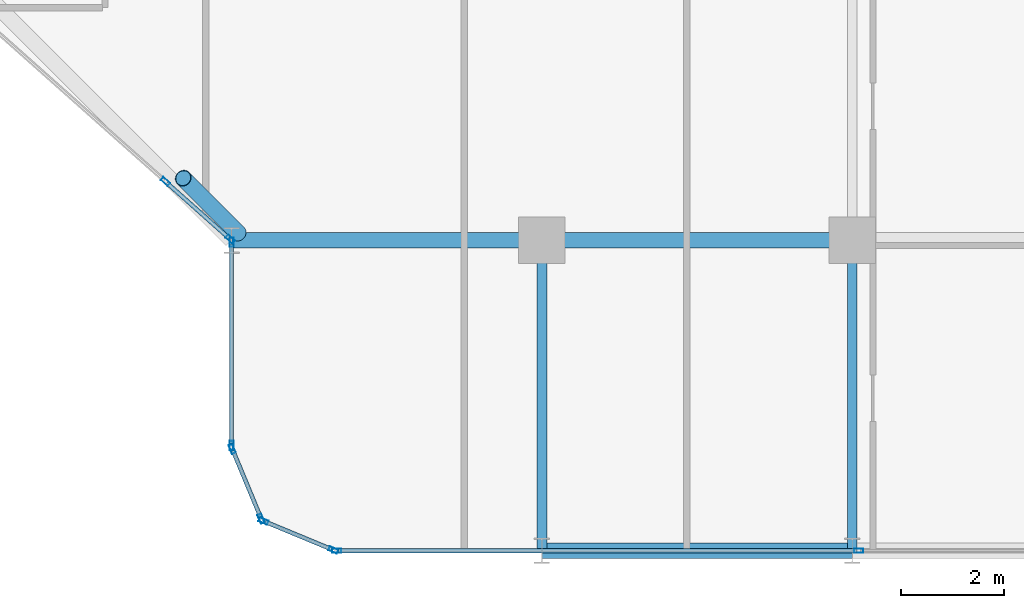
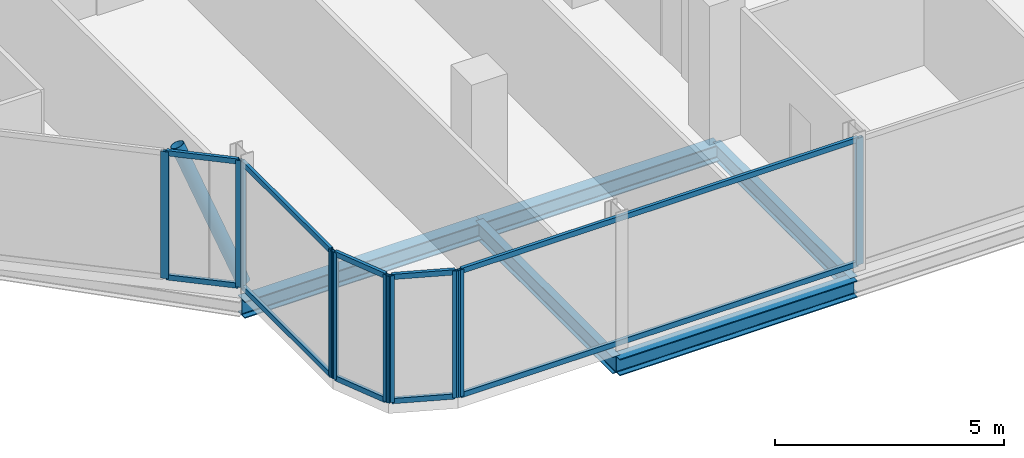
# One storey, part 5 of 31: 21 members, 5 beams, 5 elements without a shape of their own.
"""IFC4 building model written with IfcOpenShell, lengths in metres."""

from ifc_helpers import new_model, si_unit, direction, frame, origin, origin_2d, place, context, subcontext, project, spatial, hollow_rectangle, hollow_circle, i_section, extrude, material, layer, layer_set, material_profile, profile_set, type_object, element, aggregate, save


model = new_model("IFC4")

# Units and contexts
model_context = context("Model", 3, precision=1e-05, world=origin(), true_north=direction((0.0, 1.0)))
body_context = subcontext(model_context, "Body", "Model", "MODEL_VIEW")
ifc_project = project(units=[si_unit("LENGTHUNIT", "METRE"), si_unit("AREAUNIT", "SQUARE_METRE"), si_unit("VOLUMEUNIT", "CUBIC_METRE"), si_unit("PLANEANGLEUNIT", "RADIAN"), si_unit("MASSUNIT", "GRAM", prefix="KILO")], contexts=[model_context])

# Site, building, storey
site_placement = place(None, origin())
site = spatial("IfcSite", under=ifc_project, at=site_placement, CompositionType="ELEMENT")
building_placement = place(site_placement, origin())
building = spatial("IfcBuilding", under=site, at=building_placement, Name="Keshet Zoharim Tower", CompositionType="ELEMENT")
storey_placement = place(building_placement, frame((0.0, 0.0, 144.60009765625)))
storey = spatial("IfcBuildingStorey", under=building, at=storey_placement, Name="L35", CompositionType="ELEMENT", Elevation=144.60009765625)

# Beams
ifc_material_1 = material(Name="Steel S355", Category="steel")
ifc_material_profile_1 = material_profile(ifc_material_1, i_section(OverallWidth=0.18994140625, OverallDepth=0.449951171875, WebThickness=0.009521484375, FlangeThickness=0.0146484375, FilletRadius=0.02099609375, at=origin_2d()), Name="IPE450")
ifc_profile_set_1 = profile_set([ifc_material_profile_1], Name="Steel S355")
beam_type_1 = type_object("IfcBeamType", Name="BM-PRI-IP450", PredefinedType="BEAM", material=ifc_profile_set_1)
for number, where, z_axis, x_axis, name in (
    (1, (27.0, 0.699951171875, -0.5400390625), (0.0, 1.0, 0.0), (-1.0, 0.0, 0.0), "L35 Primary Girder Y-004"),
    (2, (33.0, 0.699951171875, -0.5400390625), (0.0, 1.0, 0.0), (-1.0, 0.0, 0.0), "L35 Primary Girder Y-005"),
):
    element("IfcBeam", number, at=place(storey_placement, frame(where, z_axis=z_axis, x_axis=x_axis)), inside=storey, type_object=beam_type_1, Name=name, PredefinedType="BEAM", context=body_context, shape_type="SweptSolid", body=[
        extrude(i_section(OverallWidth=0.18994140625, OverallDepth=0.449951171875, WebThickness=0.009521484375, FlangeThickness=0.0146484375, FilletRadius=0.02099609375, at=origin_2d()), origin(), (0.0, 0.0, 1.0), 6.0),
    ])
ifc_material_profile_2 = material_profile(ifc_material_1, i_section(OverallWidth=0.300048828125, OverallDepth=0.449951171875, WebThickness=0.013916015625, FlangeThickness=0.02587890625, FilletRadius=0.027099609375, at=origin_2d()), Name="HEB450")
ifc_profile_set_2 = profile_set([ifc_material_profile_2], Name="Steel S355")
beam_type_2 = type_object("IfcBeamType", Name="BM-WEB-HB450", PredefinedType="BEAM", material=ifc_profile_set_2)
for number, where, z_axis, x_axis, name in (
    (3, (27.0, 0.699951171875, -0.5400390625), (1.0, 0.0, 0.0), (0.0, 1.0, 0.0), "L35 Primary Girder X-001"),
    (4, (21.0, 6.699951171875, -0.5400390625), (1.0, 0.0, 0.0), (0.0, 1.0, 0.0), "L35 Primary Girder X-005"),
    (5, (27.0, 6.699951171875, -0.5400390625), (1.0, 0.0, 0.0), (0.0, 1.0, 0.0), "L35 Primary Girder X-006"),
):
    element("IfcBeam", number, at=place(storey_placement, frame(where, z_axis=z_axis, x_axis=x_axis)), inside=storey, type_object=beam_type_2, Name=name, PredefinedType="BEAM", context=body_context, shape_type="SweptSolid", body=[
        extrude(i_section(OverallWidth=0.300048828125, OverallDepth=0.449951171875, WebThickness=0.013916015625, FlangeThickness=0.02587890625, FilletRadius=0.027099609375, at=origin_2d()), origin(), (0.0, 0.0, 1.0), 6.0),
    ])

# Curtain wall, members
ifc_material_2 = material(Name="Aluminium 6063-T6", Category="aluminium")
ifc_layer = layer(ifc_material_2, 0.159912109375)
ifc_layer_set = layer_set([ifc_layer], Name="Aluminium 6063-T6")
curtain_wall_type = type_object("IfcCurtainWallType", Name="CW-SYS-03", PredefinedType="NOTDEFINED", material=ifc_layer_set)
curtain_wall_1_placement = place(storey_placement, origin())
curtain_wall_1 = element("IfcCurtainWall", 6, at=curtain_wall_1_placement, inside=storey, type_object=curtain_wall_type, Name="L35 Unitised Curtain Wall 03 Part 3", PredefinedType="NOTDEFINED")
ifc_material_profile_3 = material_profile(ifc_material_2, hollow_rectangle(XDim=0.080078125, YDim=0.179931640625, WallThickness=0.00439453125, at=origin_2d()), Name="MUL-80x180")
ifc_profile_set_3 = profile_set([ifc_material_profile_3], Name="Aluminium 6063-T6")
member_type_1 = type_object("IfcMemberType", Name="CWM-M18", PredefinedType="MULLION", material=ifc_profile_set_3)
member_1_placement = place(storey_placement, frame((33.1259765625, 0.699951171875, 0.0), z_axis=(0.0, 0.0, 1.0), x_axis=(0.0, -1.0, 0.0)))
member_1 = element("IfcMember", 7, at=member_1_placement, type_object=member_type_1, Name="CW-03 mullion 2", PredefinedType="MULLION", context=body_context, shape_type="SweptSolid", body=[
    extrude(hollow_rectangle(XDim=0.080078125, YDim=0.179931640625, WallThickness=0.00439453125, at=origin_2d()), origin(), (0.0, 0.0, 1.0), 3.385009765625),
])
member_2_placement = place(storey_placement, frame((23.034912109375, 0.699951171875, 0.0), z_axis=(0.0, 0.0, 1.0), x_axis=(0.0, -1.0, 0.0)))
member_2 = element("IfcMember", 8, at=member_2_placement, type_object=member_type_1, Name="CW-03 mullion 3", PredefinedType="MULLION", context=body_context, shape_type="SweptSolid", body=[
    extrude(hollow_rectangle(XDim=0.080078125, YDim=0.179931640625, WallThickness=0.00439453125, at=origin_2d()), origin(), (0.0, 0.0, 1.0), 3.385009765625),
])

curtain_wall_2_placement = place(storey_placement, origin())
curtain_wall_2 = element("IfcCurtainWall", 9, at=curtain_wall_2_placement, inside=storey, type_object=curtain_wall_type, Name="L35 Unitised Curtain Wall 04", PredefinedType="NOTDEFINED")
member_3_placement = place(storey_placement, frame((22.9677734375, 0.71337890625, 0.0), z_axis=(0.0, 0.0, 1.0), x_axis=(-0.382851849847, -0.92380975372, 0.0)))
member_3 = element("IfcMember", 10, at=member_3_placement, type_object=member_type_1, Name="CW-03 mullion 1", PredefinedType="MULLION", context=body_context, shape_type="SweptSolid", body=[
    extrude(hollow_rectangle(XDim=0.080078125, YDim=0.179931640625, WallThickness=0.00439453125, at=origin_2d()), origin(), (0.0, 0.0, 1.0), 3.385009765625),
])
member_4_placement = place(storey_placement, frame((21.618408203125, 1.272705078125, 0.0), z_axis=(0.0, 0.0, 1.0), x_axis=(-0.382851849847, -0.92380975372, 0.0)))
member_4 = element("IfcMember", 11, at=member_4_placement, type_object=member_type_1, Name="CW-03 mullion 2", PredefinedType="MULLION", context=body_context, shape_type="SweptSolid", body=[
    extrude(hollow_rectangle(XDim=0.080078125, YDim=0.179931640625, WallThickness=0.00439453125, at=origin_2d()), origin(), (0.0, 0.0, 1.0), 3.385009765625),
])

curtain_wall_3_placement = place(storey_placement, origin())
curtain_wall_3 = element("IfcCurtainWall", 12, at=curtain_wall_3_placement, inside=storey, type_object=curtain_wall_type, Name="L35 Unitised Curtain Wall 05", PredefinedType="NOTDEFINED")
member_5_placement = place(storey_placement, frame((21.572509765625, 1.318359375, 0.0), z_axis=(0.0, 0.0, 1.0), x_axis=(-0.92380975372, -0.382851849847, 0.0)))
member_5 = element("IfcMember", 13, at=member_5_placement, type_object=member_type_1, Name="CW-03 mullion 1", PredefinedType="MULLION", context=body_context, shape_type="SweptSolid", body=[
    extrude(hollow_rectangle(XDim=0.080078125, YDim=0.179931640625, WallThickness=0.00439453125, at=origin_2d()), origin(), (0.0, 0.0, 1.0), 3.385009765625),
])
member_6_placement = place(storey_placement, frame((21.013427734375, 2.667724609375, 0.0), z_axis=(0.0, 0.0, 1.0), x_axis=(-0.92380975372, -0.382851849847, 0.0)))
member_6 = element("IfcMember", 14, at=member_6_placement, type_object=member_type_1, Name="CW-03 mullion 2", PredefinedType="MULLION", context=body_context, shape_type="SweptSolid", body=[
    extrude(hollow_rectangle(XDim=0.080078125, YDim=0.179931640625, WallThickness=0.00439453125, at=origin_2d()), origin(), (0.0, 0.0, 1.0), 3.385009765625),
])

curtain_wall_4_placement = place(storey_placement, origin())
curtain_wall_4 = element("IfcCurtainWall", 15, at=curtain_wall_4_placement, inside=storey, type_object=curtain_wall_type, Name="L35 Unitised Curtain Wall 06", PredefinedType="NOTDEFINED")
member_7_placement = place(storey_placement, frame((21.0, 2.735107421875, 0.0), z_axis=(0.0, 0.0, 1.0), x_axis=(-1.0, 0.0, 0.0)))
member_7 = element("IfcMember", 16, at=member_7_placement, type_object=member_type_1, Name="CW-03 mullion 1", PredefinedType="MULLION", context=body_context, shape_type="SweptSolid", body=[
    extrude(hollow_rectangle(XDim=0.080078125, YDim=0.179931640625, WallThickness=0.00439453125, at=origin_2d()), origin(), (0.0, 0.0, 1.0), 3.385009765625),
])
member_8_placement = place(storey_placement, frame((21.0, 6.6650390625, 0.0), z_axis=(0.0, 0.0, 1.0), x_axis=(-1.0, 0.0, 0.0)))
member_8 = element("IfcMember", 17, at=member_8_placement, type_object=member_type_1, Name="CW-03 mullion 2", PredefinedType="MULLION", context=body_context, shape_type="SweptSolid", body=[
    extrude(hollow_rectangle(XDim=0.080078125, YDim=0.179931640625, WallThickness=0.00439453125, at=origin_2d()), origin(), (0.0, 0.0, 1.0), 3.385009765625),
])

curtain_wall_5_placement = place(storey_placement, origin())
curtain_wall_5 = element("IfcCurtainWall", 18, at=curtain_wall_5_placement, inside=storey, type_object=curtain_wall_type, Name="L35 Unitised Curtain Wall 07", PredefinedType="NOTDEFINED")
member_9_placement = place(storey_placement, frame((20.973876953125, 6.72314453125, 0.0), z_axis=(0.0, 0.0, 1.0), x_axis=(-0.664367393393, -0.747406159057, 0.0)))
member_9 = element("IfcMember", 19, at=member_9_placement, type_object=member_type_1, Name="CW-03 mullion 1", PredefinedType="MULLION", context=body_context, shape_type="SweptSolid", body=[
    extrude(hollow_rectangle(XDim=0.080078125, YDim=0.179931640625, WallThickness=0.00439453125, at=origin_2d()), origin(), (0.0, 0.0, 1.0), 3.385009765625),
])
member_10_placement = place(storey_placement, frame((19.720947265625, 7.8369140625, 0.0), z_axis=(0.0, 0.0, 1.0), x_axis=(-0.664367393393, -0.747406159057, 0.0)))
member_10 = element("IfcMember", 20, at=member_10_placement, type_object=member_type_1, Name="CW-03 mullion 2", PredefinedType="MULLION", context=body_context, shape_type="SweptSolid", body=[
    extrude(hollow_rectangle(XDim=0.080078125, YDim=0.179931640625, WallThickness=0.00439453125, at=origin_2d()), origin(), (0.0, 0.0, 1.0), 3.385009765625),
])

# Member
ifc_material_profile_4 = material_profile(ifc_material_2, hollow_rectangle(XDim=0.080078125, YDim=0.139892578125, WallThickness=0.00390625, at=origin_2d()), Name="TRN-80x140")
ifc_profile_set_4 = profile_set([ifc_material_profile_4], Name="Aluminium 6063-T6")
member_type_2 = type_object("IfcMemberType", Name="CWT-T14", PredefinedType="USERDEFINED", material=ifc_profile_set_4)
member_11_placement = place(storey_placement, frame((33.091064453125, 0.699951171875, 0.034912109375), z_axis=(-1.0, 0.0, 0.0), x_axis=(0.0, -1.0, 0.0)))
member_11 = element("IfcMember", 21, at=member_11_placement, type_object=member_type_2, Name="CW-03 transom 2.1", ObjectType="TRANSOM", PredefinedType="USERDEFINED", context=body_context, shape_type="SweptSolid", body=[
    extrude(hollow_rectangle(XDim=0.080078125, YDim=0.139892578125, WallThickness=0.00390625, at=origin_2d()), origin(), (0.0, 0.0, 1.0), 10.02099609375),
])

member_12_placement = place(storey_placement, frame((33.091064453125, 0.699951171875, 3.349853515625), z_axis=(-1.0, 0.0, 0.0), x_axis=(0.0, -1.0, 0.0)))
member_12 = element("IfcMember", 22, at=member_12_placement, type_object=member_type_2, Name="CW-03 transom 2.2", ObjectType="TRANSOM", PredefinedType="USERDEFINED", context=body_context, shape_type="SweptSolid", body=[
    extrude(hollow_rectangle(XDim=0.080078125, YDim=0.139892578125, WallThickness=0.00390625, at=origin_2d()), origin(), (0.0, 0.0, 1.0), 10.02099609375),
])

aggregate(curtain_wall_1, [member_1, member_2, member_11, member_12])

member_13_placement = place(storey_placement, frame((22.935302734375, 0.726806640625, 0.034912109375), z_axis=(-0.92379209995, 0.382894445076, 0.0), x_axis=(-0.382894445076, -0.92379209995, 0.0)))
member_13 = element("IfcMember", 23, at=member_13_placement, type_object=member_type_2, Name="CW-03 transom 1.1", ObjectType="TRANSOM", PredefinedType="USERDEFINED", context=body_context, shape_type="SweptSolid", body=[
    extrude(hollow_rectangle(XDim=0.080078125, YDim=0.139892578125, WallThickness=0.00390625, at=origin_2d()), origin(), (0.0, 0.0, 1.0), 1.390625),
])

member_14_placement = place(storey_placement, frame((22.935302734375, 0.726806640625, 3.349853515625), z_axis=(-0.92379209995, 0.382894445076, 0.0), x_axis=(-0.382894445076, -0.92379209995, 0.0)))
member_14 = element("IfcMember", 24, at=member_14_placement, type_object=member_type_2, Name="CW-03 transom 1.2", ObjectType="TRANSOM", PredefinedType="USERDEFINED", context=body_context, shape_type="SweptSolid", body=[
    extrude(hollow_rectangle(XDim=0.080078125, YDim=0.139892578125, WallThickness=0.00390625, at=origin_2d()), origin(), (0.0, 0.0, 1.0), 1.390625),
])

aggregate(curtain_wall_2, [member_3, member_4, member_13, member_14])

member_15_placement = place(storey_placement, frame((21.55908203125, 1.3505859375, 0.034912109375), z_axis=(-0.382744609247, 0.923854189844, 0.0), x_axis=(-0.923854189844, -0.382744609247, 0.0)))
member_15 = element("IfcMember", 25, at=member_15_placement, type_object=member_type_2, Name="CW-03 transom 1.1", ObjectType="TRANSOM", PredefinedType="USERDEFINED", context=body_context, shape_type="SweptSolid", body=[
    extrude(hollow_rectangle(XDim=0.080078125, YDim=0.139892578125, WallThickness=0.00390625, at=origin_2d()), origin(), (0.0, 0.0, 1.0), 1.390625),
])

member_16_placement = place(storey_placement, frame((21.55908203125, 1.3505859375, 3.349853515625), z_axis=(-0.382744609247, 0.923854189844, 0.0), x_axis=(-0.923854189844, -0.382744609247, 0.0)))
member_16 = element("IfcMember", 26, at=member_16_placement, type_object=member_type_2, Name="CW-03 transom 1.2", ObjectType="TRANSOM", PredefinedType="USERDEFINED", context=body_context, shape_type="SweptSolid", body=[
    extrude(hollow_rectangle(XDim=0.080078125, YDim=0.139892578125, WallThickness=0.00390625, at=origin_2d()), origin(), (0.0, 0.0, 1.0), 1.390625),
])

aggregate(curtain_wall_3, [member_5, member_6, member_15, member_16])

member_17_placement = place(storey_placement, frame((21.0, 2.77001953125, 0.034912109375), z_axis=(0.0, 1.0, 0.0), x_axis=(-1.0, 0.0, 0.0)))
member_17 = element("IfcMember", 27, at=member_17_placement, type_object=member_type_2, Name="CW-03 transom 1.1", ObjectType="TRANSOM", PredefinedType="USERDEFINED", context=body_context, shape_type="SweptSolid", body=[
    extrude(hollow_rectangle(XDim=0.080078125, YDim=0.139892578125, WallThickness=0.00390625, at=origin_2d()), origin(), (0.0, 0.0, 1.0), 3.85986328125),
])

member_18_placement = place(storey_placement, frame((21.0, 2.77001953125, 3.349853515625), z_axis=(0.0, 1.0, 0.0), x_axis=(-1.0, 0.0, 0.0)))
member_18 = element("IfcMember", 28, at=member_18_placement, type_object=member_type_2, Name="CW-03 transom 1.2", ObjectType="TRANSOM", PredefinedType="USERDEFINED", context=body_context, shape_type="SweptSolid", body=[
    extrude(hollow_rectangle(XDim=0.080078125, YDim=0.139892578125, WallThickness=0.00390625, at=origin_2d()), origin(), (0.0, 0.0, 1.0), 3.85986328125),
])

aggregate(curtain_wall_4, [member_7, member_8, member_17, member_18])

member_19_placement = place(storey_placement, frame((20.94775390625, 6.74658203125, 0.034912109375), z_axis=(-0.747459638873, 0.664307224299, 0.0), x_axis=(-0.664307224299, -0.747459638873, 0.0)))
member_19 = element("IfcMember", 29, at=member_19_placement, type_object=member_type_2, Name="CW-03 transom 1.1", ObjectType="TRANSOM", PredefinedType="USERDEFINED", context=body_context, shape_type="SweptSolid", body=[
    extrude(hollow_rectangle(XDim=0.080078125, YDim=0.139892578125, WallThickness=0.00390625, at=origin_2d()), origin(), (0.0, 0.0, 1.0), 1.60595703125),
])

member_20_placement = place(storey_placement, frame((20.94775390625, 6.74658203125, 3.349853515625), z_axis=(-0.747459638873, 0.664307224299, 0.0), x_axis=(-0.664307224299, -0.747459638873, 0.0)))
member_20 = element("IfcMember", 30, at=member_20_placement, type_object=member_type_2, Name="CW-03 transom 1.2", ObjectType="TRANSOM", PredefinedType="USERDEFINED", context=body_context, shape_type="SweptSolid", body=[
    extrude(hollow_rectangle(XDim=0.080078125, YDim=0.139892578125, WallThickness=0.00390625, at=origin_2d()), origin(), (0.0, 0.0, 1.0), 1.60595703125),
])

aggregate(curtain_wall_5, [member_9, member_10, member_19, member_20])

ifc_material_profile_5 = material_profile(ifc_material_1, hollow_circle(Radius=0.161865234375, WallThickness=0.012451171875, at=origin_2d()), Name="CHS323x12.5")
ifc_profile_set_5 = profile_set([ifc_material_profile_5], Name="Steel S355")
member_type_3 = type_object("IfcMemberType", Name="MB-BR-C323", PredefinedType="BRACE", material=ifc_profile_set_5)
member_21_placement = place(storey_placement, frame((21.1259765625, 6.842041015625, 0.0), z_axis=(-0.286558246199, 0.286558246199, 0.914203884848), x_axis=(-0.707106781187, -0.707106781187, 0.0)))
element("IfcMember", 31, at=member_21_placement, inside=storey, type_object=member_type_3, Name="L35 Perimeter Tube Brace 01", PredefinedType="BRACE", context=body_context, shape_type="SweptSolid", body=[
    extrude(hollow_circle(Radius=0.161865234375, WallThickness=0.012451171875, at=origin_2d()), origin(), (0.0, 0.0, 1.0), 3.70263671875),
])

save(model, "model.ifc")
